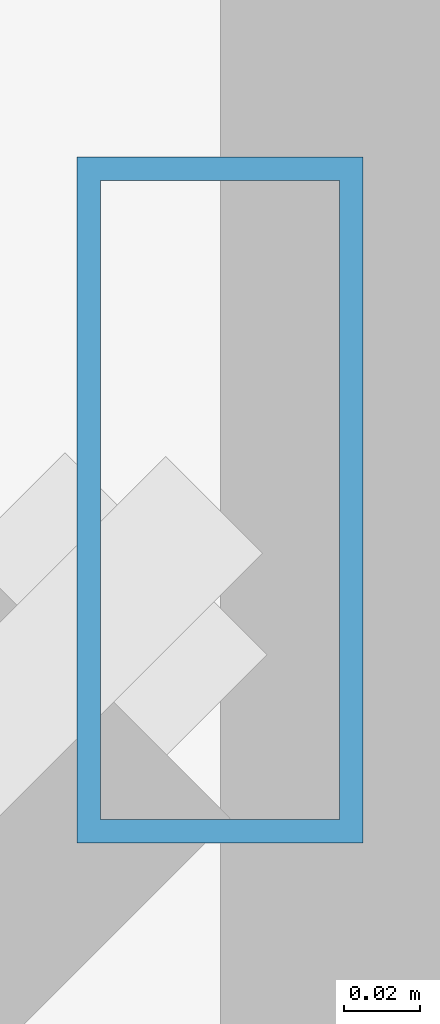
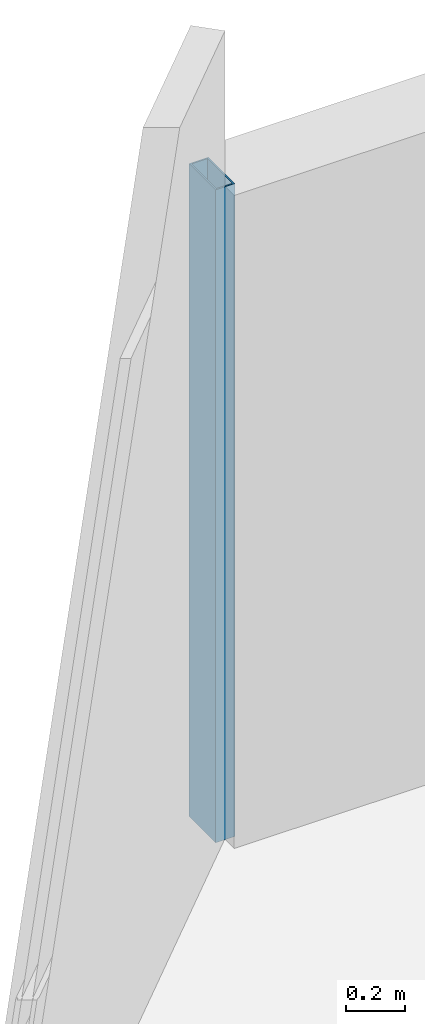
# One storey, part 9 of 33: 1 member, 1 element without a shape of its own.
"""IFC4 building model written with IfcOpenShell, lengths in metres."""

from ifc_helpers import new_model, si_unit, direction, frame, origin, origin_2d, place, context, subcontext, project, spatial, hollow_rectangle, extrude, material, material_profile, profile_set, type_object, element, aggregate, save


model = new_model("IFC4")

# Units and contexts
model_context = context("Model", 3, precision=1e-05, world=origin(), true_north=direction((0.0, 1.0)))
body_context = subcontext(model_context, "Body", "Model", "MODEL_VIEW")
ifc_project = project(units=[si_unit("LENGTHUNIT", "METRE"), si_unit("AREAUNIT", "SQUARE_METRE"), si_unit("VOLUMEUNIT", "CUBIC_METRE"), si_unit("PLANEANGLEUNIT", "RADIAN"), si_unit("MASSUNIT", "GRAM", prefix="KILO")], contexts=[model_context])

# Site, building, storey
site_placement = place(None, origin())
site = spatial("IfcSite", under=ifc_project, at=site_placement, CompositionType="ELEMENT")
building_placement = place(site_placement, origin())
building = spatial("IfcBuilding", under=site, at=building_placement, Name="Thornwick Lancets Civic Towers", CompositionType="ELEMENT")
storey_placement = place(building_placement, frame((0.0, 0.0, 207.300048828125)))
storey = spatial("IfcBuildingStorey", under=building, at=storey_placement, Name="L55", CompositionType="ELEMENT", Elevation=207.300048828125)

# Curtain wall, member
ifc_material_1 = material(Name="High-zone chamfered-corner unitised glass curtain wall", Category="glass")
curtain_wall_type = type_object("IfcCurtainWallType", Name="CW_SYS_05", PredefinedType="NOTDEFINED", material=ifc_material_1)
curtain_wall_placement = place(storey_placement, origin())
curtain_wall = element("IfcCurtainWall", 1, at=curtain_wall_placement, inside=storey, type_object=curtain_wall_type, Name="L55 Curtain Wall CW-L55-A-E5", PredefinedType="NOTDEFINED")
ifc_material_2 = material(Name="Thermally broken bronze aluminium S355", Category="steel")
ifc_material_profile = material_profile(ifc_material_2, hollow_rectangle(XDim=0.074951171875, YDim=0.179931640625, WallThickness=0.006103515625, at=origin_2d()), Name="RHS 180x75x6")
ifc_profile_set = profile_set([ifc_material_profile], Name="Thermally broken bronze aluminium S355")
member_type = type_object("IfcMemberType", Name="CW_MUL_180", PredefinedType="MULLION", material=ifc_profile_set)
member_placement = place(storey_placement, frame((5.42236328125, 50.760986328125, 0.0), z_axis=(0.0, 0.0, 1.0), x_axis=(1.0, 0.0, 0.0)))
member = element("IfcMember", 2, at=member_placement, type_object=member_type, Name="CW-L55-A-E5 Mullion 0", PredefinedType="MULLION", context=body_context, shape_type="SweptSolid", body=[
    extrude(hollow_rectangle(XDim=0.074951171875, YDim=0.179931640625, WallThickness=0.006103515625, at=origin_2d()), origin(), (0.0, 0.0, 1.0), 2.699951171875),
])
aggregate(curtain_wall, [member])

save(model, "model.ifc")
